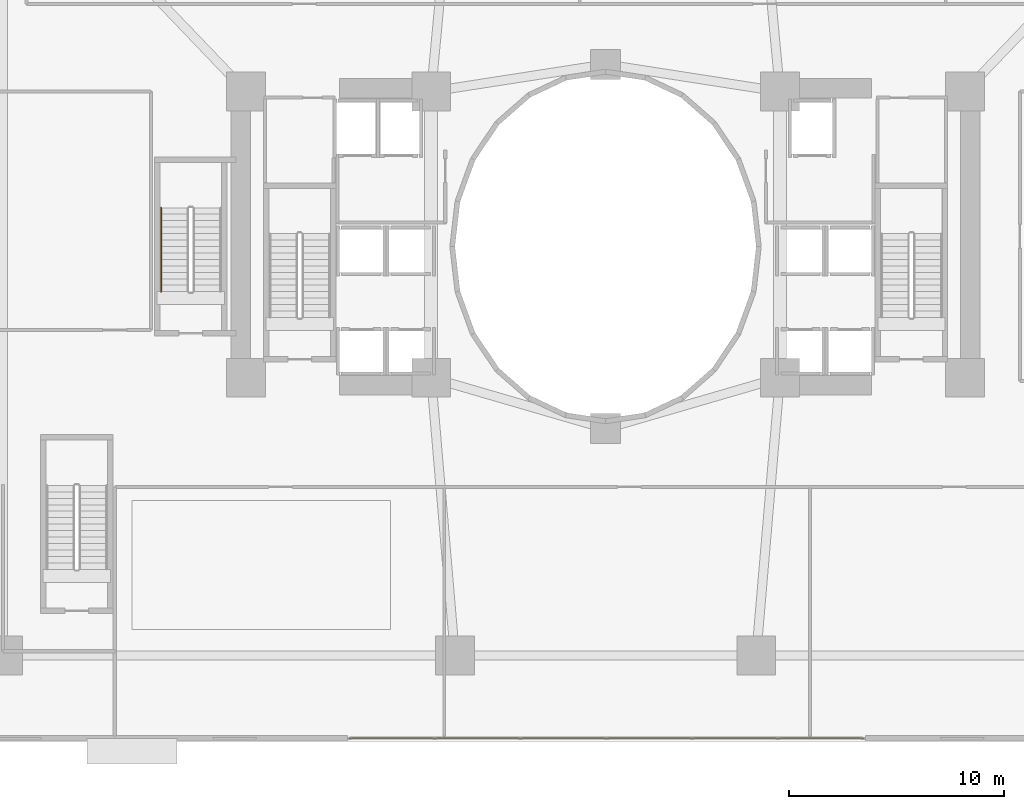
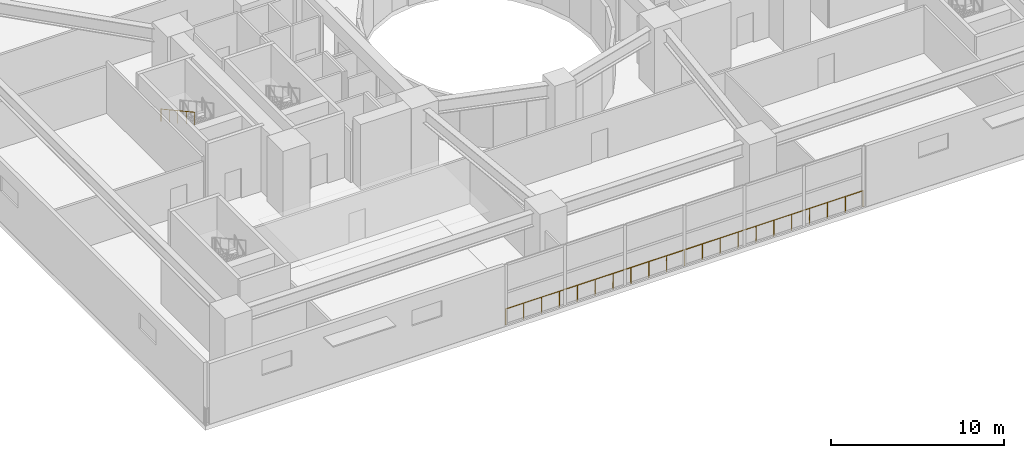
# One storey, part 16 of 20: 2 railings.
"""IFC4 building model written with IfcOpenShell, lengths in metres."""

import ifcopenshell
import ifcopenshell.guid

model = None  # the IFC model being written
_history = None  # IfcOwnerHistory: only IFC2X3 demands one
_inside = {}  # id of a spatial element -> (the spatial element, [elements in it])
_under = {}  # id of a project, library or spatial element -> (it, [spatial elements below it])
_declared = {}  # id of a project -> (the project, [libraries it declares])
_typed = {}  # id of a type object -> (the type object, [elements of that type])
_made_of = {}  # id of a material, layer set ... -> (it, [elements and type objects made of it])


def new_model(schema):
    """Start an empty IFC model of exactly this schema.

    Asked for "IFC4X3", IfcOpenShell would pick the latest addendum, in which some entities
    have other attributes; the version numbers below select the first issue.
    IFC2X3 requires an IfcOwnerHistory on every rooted entity: one is made here for all.
    """
    global model, _history
    if schema == "IFC4X3":
        model = ifcopenshell.file(schema_version=(4, 3, 0, 0))
    else:
        model = ifcopenshell.file(schema=schema)
    _inside.clear()
    _under.clear()
    _declared.clear()
    _typed.clear()
    _made_of.clear()
    _history = None
    if model.schema == "IFC2X3":
        org = make("IfcOrganization", Name="unknown")
        user = make(
            "IfcPersonAndOrganization",
            ThePerson=make("IfcPerson", FamilyName="unknown"),
            TheOrganization=org,
        )
        app = make(
            "IfcApplication",
            ApplicationDeveloper=org,
            Version="unknown",
            ApplicationFullName="unknown",
            ApplicationIdentifier="unknown",
        )
        _history = make(
            "IfcOwnerHistory",
            OwningUser=user,
            OwningApplication=app,
            ChangeAction="ADDED",
            CreationDate=0,
        )
    return model


def make(cls, **values):
    """One entity of the class cls with the attributes given. An attribute that is None is left unset."""
    return model.create_entity(
        cls, **{name: value for name, value in values.items() if value is not None}
    )


def rooted(cls, **values):
    """An entity with a GlobalId (a new one), such as an element, a storey or a relation."""
    return make(cls, GlobalId=ifcopenshell.guid.new(), OwnerHistory=_history, **values)


def si_unit(unit_type, name, prefix=None):
    """IfcSIUnit, for example si_unit("LENGTHUNIT", "METRE", prefix="MILLI")."""
    return make("IfcSIUnit", UnitType=unit_type, Prefix=prefix, Name=name)


def assignment(units):
    """IfcUnitAssignment: the units of a project."""
    return None if units is None else make("IfcUnitAssignment", Units=units)


def point(xyz):
    """IfcCartesianPoint."""
    return None if xyz is None else make("IfcCartesianPoint", Coordinates=xyz)


def direction(xyz):
    """IfcDirection."""
    return None if xyz is None else make("IfcDirection", DirectionRatios=xyz)


def frame(location, z_axis=None, x_axis=None):
    """IfcAxis2Placement3D, a coordinate frame: its origin and axes. An axis left out is left unset."""
    return make(
        "IfcAxis2Placement3D",
        Location=point(location),
        Axis=direction(z_axis),
        RefDirection=direction(x_axis),
    )


def frame_2d(location, x_axis=None):
    """IfcAxis2Placement2D, a coordinate frame in the plane: its origin and x axis."""
    return make(
        "IfcAxis2Placement2D", Location=point(location), RefDirection=direction(x_axis)
    )


def origin():
    """The frame at (0, 0, 0) with its axes left unset."""
    return frame((0.0, 0.0, 0.0))


def origin_2d():
    """The frame at (0, 0) in the plane with its x axis left unset."""
    return frame_2d((0.0, 0.0))


def place(relative_to, where):
    """IfcLocalPlacement: puts the frame where relative to a parent placement (None: the world)."""
    return make(
        "IfcLocalPlacement", PlacementRelTo=relative_to, RelativePlacement=where
    )


def context(
    kind, dimensions, precision=None, world=None, true_north=None, identifier=None
):
    """IfcGeometricRepresentationContext, for example the 3D "Model" context."""
    return make(
        "IfcGeometricRepresentationContext",
        ContextIdentifier=identifier,
        ContextType=kind,
        CoordinateSpaceDimension=dimensions,
        Precision=precision,
        WorldCoordinateSystem=world,
        TrueNorth=true_north,
    )


def subcontext(parent, identifier, kind, view, scale=None):
    """IfcGeometricRepresentationSubContext, for example "Body" below "Model"."""
    return make(
        "IfcGeometricRepresentationSubContext",
        ContextIdentifier=identifier,
        ContextType=kind,
        ParentContext=parent,
        TargetScale=scale,
        TargetView=view,
    )


def project(units=None, contexts=None):
    """IfcProject with its units and contexts."""
    return rooted(
        "IfcProject",
        Name="project",
        RepresentationContexts=contexts,
        UnitsInContext=assignment(units),
    )


def spatial(cls, under=None, at=None, **own):
    """A site, building, storey or space (cls), placed at a placement, below another one or the project."""
    s = rooted(cls, ObjectPlacement=at, **own)
    if under is not None:
        _under.setdefault(under.id(), (under, []))[1].append(s)
    return s


def profile(cls, at=None, kind="AREA", **sizes):
    """A parametric profile (cls). Its sizes go by their IFC names, for example OverallWidth=200.0."""
    return make(cls, ProfileType=kind, Position=at, **sizes)


def circle(**sizes):
    """IfcCircleProfileDef."""
    return profile("IfcCircleProfileDef", **sizes)


def extrude(swept, where, along, depth):
    """IfcExtrudedAreaSolid: the profile swept, set in the frame where, extruded along a direction by depth."""
    return make(
        "IfcExtrudedAreaSolid",
        SweptArea=swept,
        Position=where,
        ExtrudedDirection=direction(along),
        Depth=depth,
    )


def shape(context_of_items, identifier, shape_type, items):
    """IfcShapeRepresentation: the items that make up one representation, for example the "Body"."""
    return make(
        "IfcShapeRepresentation",
        ContextOfItems=context_of_items,
        RepresentationIdentifier=identifier,
        RepresentationType=shape_type,
        Items=items,
    )


def material(Name=None, Category=None):
    """IfcMaterial."""
    return make("IfcMaterial", Name=Name, Category=Category)


def made_of(thing, what):
    """Note that an element or type object is made of a material, layer set ...; save() writes the relation."""
    if what is not None:
        _made_of.setdefault(what.id(), (what, []))[1].append(thing)
    return thing


def type_object(cls, material=None, **own):
    """A type object (cls), such as IfcWallType, which elements share."""
    return made_of(rooted(cls, **own), material)


def element(
    cls,
    number,
    at=None,
    inside=None,
    cuts=None,
    type_object=None,
    material=None,
    context=None,
    identifier="Body",
    shape_type=None,
    held_by="IfcProductDefinitionShape",
    body=None,
    shapes=None,
    **own,
):
    """One element of the class cls, such as IfcWall. Its Tag is "e" and its number.

    at: its placement. inside: the storey or other place that contains it. cuts: it is an
    opening in that element (IfcRelVoidsElement). A single representation is given by context,
    identifier, shape_type and body (its items); several are given by shapes. held_by: the class
    of the entity that holds the representations. save() writes the other relations.
    """
    e = rooted(cls, Tag="e%d" % number, ObjectPlacement=at, **own)
    if body is not None:
        shapes = [shape(context, identifier, shape_type, body)]
    if shapes is not None:
        e.Representation = make(held_by, Representations=shapes)
    if inside is not None:
        _inside.setdefault(inside.id(), (inside, []))[1].append(e)
    if cuts is not None:
        rooted(
            "IfcRelVoidsElement", RelatingBuildingElement=cuts, RelatedOpeningElement=e
        )
    if type_object is not None:
        _typed.setdefault(type_object.id(), (type_object, []))[1].append(e)
    return made_of(e, material)


def aggregate(whole, parts):
    """IfcRelAggregates: a whole, such as a stair, and the parts it consists of."""
    return rooted("IfcRelAggregates", RelatingObject=whole, RelatedObjects=parts)


def save(model, path):
    """Write the relations noted so far, then the file.

    IfcRelAggregates (storeys below a building ...), IfcRelContainedInSpatialStructure (elements
    in a storey), IfcRelDefinesByType, IfcRelAssociatesMaterial and IfcRelDeclares: one each for
    every whole, place, type object, material and project.
    """
    for whole, parts in _under.values():
        aggregate(whole, parts)
    for where, things in _inside.values():
        rooted(
            "IfcRelContainedInSpatialStructure",
            RelatedElements=things,
            RelatingStructure=where,
        )
    for kind, things in _typed.values():
        rooted("IfcRelDefinesByType", RelatedObjects=things, RelatingType=kind)
    for what, things in _made_of.values():
        rooted("IfcRelAssociatesMaterial", RelatedObjects=things, RelatingMaterial=what)
    for by, libraries in _declared.values():
        rooted("IfcRelDeclares", RelatingContext=by, RelatedDefinitions=libraries)
    model.write(path)


model = new_model("IFC4")

# Units and contexts
model_context = context("Model", 3, precision=1e-05, world=origin(), true_north=direction((0.0, 1.0)))
body_context = subcontext(model_context, "Body", "Model", "MODEL_VIEW")
ifc_project = project(units=[si_unit("LENGTHUNIT", "METRE"), si_unit("AREAUNIT", "SQUARE_METRE"), si_unit("VOLUMEUNIT", "CUBIC_METRE"), si_unit("PLANEANGLEUNIT", "RADIAN"), si_unit("MASSUNIT", "GRAM", prefix="KILO")], contexts=[model_context])

# Site, building, storey
site_placement = place(None, origin())
site = spatial("IfcSite", under=ifc_project, at=site_placement, CompositionType="ELEMENT")
building_placement = place(site_placement, origin())
building = spatial("IfcBuilding", under=site, at=building_placement, Name="Solvane Sanctuary Tower", CompositionType="ELEMENT")
storey_placement = place(building_placement, frame((0.0, 0.0, 9.199951171875)))
storey = spatial("IfcBuildingStorey", under=building, at=storey_placement, Name="L03", CompositionType="ELEMENT", Elevation=9.199951171875)

# Railings
ifc_material = material(Name="Architectural Stainless Steel 316", Category="steel")
railing_type_1 = type_object("IfcRailingType", Name="Railing GR-BALC-1150", PredefinedType="BALUSTRADE", material=ifc_material)
railing_1_placement = place(storey_placement, frame((20.1201171875, 0.14990234375, 0.0)))
element("IfcRailing", 1, at=railing_1_placement, inside=storey, type_object=railing_type_1, Name="L03 Podium Curtain-Wall Sill Guard S2", PredefinedType="BALUSTRADE", context=body_context, shape_type="SweptSolid", body=[
    extrude(circle(Radius=0.02392578125, at=origin_2d()), frame((0.0, 0.0, 1.1259765625), z_axis=(1.0, 0.0, 0.0), x_axis=(0.0, 1.0, 0.0)), (0.0, 0.0, 1.0), 23.83984375),
    extrude(circle(Radius=0.02099609375, at=origin_2d()), origin(), (0.0, 0.0, 1.0), 1.101806640625),
    extrude(circle(Radius=0.02099609375, at=origin_2d()), frame((1.19189453125, 0.0, 0.0)), (0.0, 0.0, 1.0), 1.101806640625),
    extrude(circle(Radius=0.02099609375, at=origin_2d()), frame((2.384033203125, 0.0, 0.0)), (0.0, 0.0, 1.0), 1.101806640625),
    extrude(circle(Radius=0.02099609375, at=origin_2d()), frame((3.575927734375, 0.0, 0.0)), (0.0, 0.0, 1.0), 1.101806640625),
    extrude(circle(Radius=0.02099609375, at=origin_2d()), frame((4.76806640625, 0.0, 0.0)), (0.0, 0.0, 1.0), 1.101806640625),
    extrude(circle(Radius=0.02099609375, at=origin_2d()), frame((5.9599609375, 0.0, 0.0)), (0.0, 0.0, 1.0), 1.101806640625),
    extrude(circle(Radius=0.02099609375, at=origin_2d()), frame((7.15185546875, 0.0, 0.0)), (0.0, 0.0, 1.0), 1.101806640625),
    extrude(circle(Radius=0.02099609375, at=origin_2d()), frame((8.343994140625, 0.0, 0.0)), (0.0, 0.0, 1.0), 1.101806640625),
    extrude(circle(Radius=0.02099609375, at=origin_2d()), frame((9.535888671875, 0.0, 0.0)), (0.0, 0.0, 1.0), 1.101806640625),
    extrude(circle(Radius=0.02099609375, at=origin_2d()), frame((10.72802734375, 0.0, 0.0)), (0.0, 0.0, 1.0), 1.101806640625),
    extrude(circle(Radius=0.02099609375, at=origin_2d()), frame((11.919921875, 0.0, 0.0)), (0.0, 0.0, 1.0), 1.101806640625),
    extrude(circle(Radius=0.02099609375, at=origin_2d()), frame((13.11181640625, 0.0, 0.0)), (0.0, 0.0, 1.0), 1.101806640625),
    extrude(circle(Radius=0.02099609375, at=origin_2d()), frame((14.303955078125, 0.0, 0.0)), (0.0, 0.0, 1.0), 1.101806640625),
    extrude(circle(Radius=0.02099609375, at=origin_2d()), frame((15.495849609375, 0.0, 0.0)), (0.0, 0.0, 1.0), 1.101806640625),
    extrude(circle(Radius=0.02099609375, at=origin_2d()), frame((16.68798828125, 0.0, 0.0)), (0.0, 0.0, 1.0), 1.101806640625),
    extrude(circle(Radius=0.02099609375, at=origin_2d()), frame((17.8798828125, 0.0, 0.0)), (0.0, 0.0, 1.0), 1.101806640625),
    extrude(circle(Radius=0.02099609375, at=origin_2d()), frame((19.07177734375, 0.0, 0.0)), (0.0, 0.0, 1.0), 1.101806640625),
    extrude(circle(Radius=0.02099609375, at=origin_2d()), frame((20.263916015625, 0.0, 0.0)), (0.0, 0.0, 1.0), 1.101806640625),
    extrude(circle(Radius=0.02099609375, at=origin_2d()), frame((21.455810546875, 0.0, 0.0)), (0.0, 0.0, 1.0), 1.101806640625),
    extrude(circle(Radius=0.02099609375, at=origin_2d()), frame((22.64794921875, 0.0, 0.0)), (0.0, 0.0, 1.0), 1.101806640625),
    extrude(circle(Radius=0.02099609375, at=origin_2d()), frame((23.83984375, 0.0, 0.0)), (0.0, 0.0, 1.0), 1.101806640625),
])
railing_type_2 = type_object("IfcRailingType", Name="Railing HR-STAIR-920", PredefinedType="HANDRAIL", material=ifc_material)
railing_2_placement = place(storey_placement, frame((11.35009765625, 24.800048828125, 2.46435546875)))
element("IfcRailing", 2, at=railing_2_placement, inside=storey, type_object=railing_type_2, Name="L03 ST-3 stair handrail 2", PredefinedType="HANDRAIL", context=body_context, shape_type="SweptSolid", body=[
    extrude(circle(Radius=0.02392578125, at=origin_2d()), frame((0.0, 0.0, 0.8759765625), z_axis=(0.0, -0.877101224295, 0.480305571839), x_axis=(1.0, 0.0, 0.0)), (0.0, 0.0, 1.0), 4.446533203125),
    extrude(circle(Radius=0.02099609375, at=origin_2d()), origin(), (0.0, 0.0, 1.0), 0.851806640625),
    extrude(circle(Radius=0.02099609375, at=origin_2d()), frame((0.0, -0.97509765625, 0.533935546875)), (0.0, 0.0, 1.0), 0.851806640625),
    extrude(circle(Radius=0.02099609375, at=origin_2d()), frame((0.0, -1.9501953125, 1.06787109375)), (0.0, 0.0, 1.0), 0.851806640625),
    extrude(circle(Radius=0.02099609375, at=origin_2d()), frame((0.0, -2.925048828125, 1.601806640625)), (0.0, 0.0, 1.0), 0.851806640625),
    extrude(circle(Radius=0.02099609375, at=origin_2d()), frame((0.0, -3.900146484375, 2.1357421875)), (0.0, 0.0, 1.0), 0.851806640625),
])

save(model, "model.ifc")
